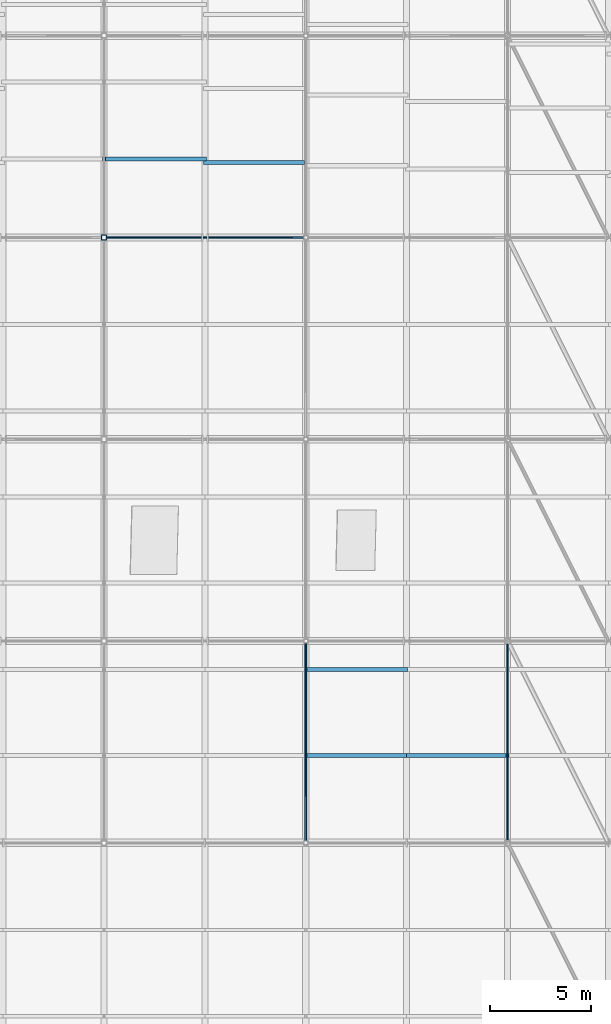
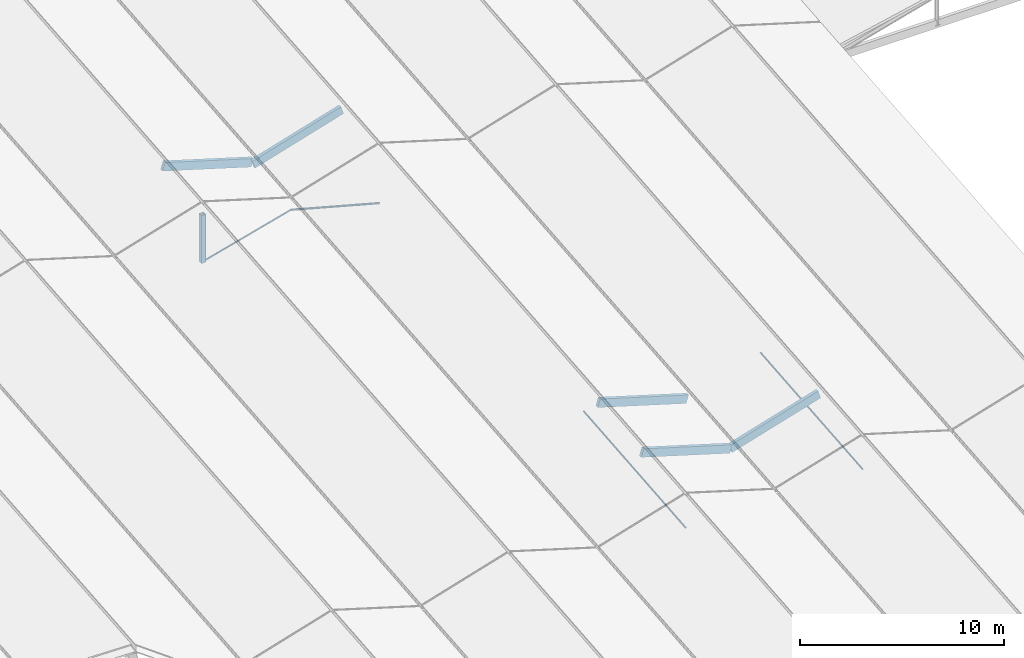
# One storey, part 33 of 90: 10 members.
"""IFC4 building model written with IfcOpenShell, lengths in metres."""

import ifcopenshell
import ifcopenshell.guid

model = None  # the IFC model being written
_history = None  # IfcOwnerHistory: only IFC2X3 demands one
_inside = {}  # id of a spatial element -> (the spatial element, [elements in it])
_under = {}  # id of a project, library or spatial element -> (it, [spatial elements below it])
_declared = {}  # id of a project -> (the project, [libraries it declares])
_typed = {}  # id of a type object -> (the type object, [elements of that type])
_made_of = {}  # id of a material, layer set ... -> (it, [elements and type objects made of it])


def new_model(schema):
    """Start an empty IFC model of exactly this schema.

    Asked for "IFC4X3", IfcOpenShell would pick the latest addendum, in which some entities
    have other attributes; the version numbers below select the first issue.
    IFC2X3 requires an IfcOwnerHistory on every rooted entity: one is made here for all.
    """
    global model, _history
    if schema == "IFC4X3":
        model = ifcopenshell.file(schema_version=(4, 3, 0, 0))
    else:
        model = ifcopenshell.file(schema=schema)
    _inside.clear()
    _under.clear()
    _declared.clear()
    _typed.clear()
    _made_of.clear()
    _history = None
    if model.schema == "IFC2X3":
        org = make("IfcOrganization", Name="unknown")
        user = make(
            "IfcPersonAndOrganization",
            ThePerson=make("IfcPerson", FamilyName="unknown"),
            TheOrganization=org,
        )
        app = make(
            "IfcApplication",
            ApplicationDeveloper=org,
            Version="unknown",
            ApplicationFullName="unknown",
            ApplicationIdentifier="unknown",
        )
        _history = make(
            "IfcOwnerHistory",
            OwningUser=user,
            OwningApplication=app,
            ChangeAction="ADDED",
            CreationDate=0,
        )
    return model


def make(cls, **values):
    """One entity of the class cls with the attributes given. An attribute that is None is left unset."""
    return model.create_entity(
        cls, **{name: value for name, value in values.items() if value is not None}
    )


def rooted(cls, **values):
    """An entity with a GlobalId (a new one), such as an element, a storey or a relation."""
    return make(cls, GlobalId=ifcopenshell.guid.new(), OwnerHistory=_history, **values)


def si_unit(unit_type, name, prefix=None):
    """IfcSIUnit, for example si_unit("LENGTHUNIT", "METRE", prefix="MILLI")."""
    return make("IfcSIUnit", UnitType=unit_type, Prefix=prefix, Name=name)


def assignment(units):
    """IfcUnitAssignment: the units of a project."""
    return None if units is None else make("IfcUnitAssignment", Units=units)


def point(xyz):
    """IfcCartesianPoint."""
    return None if xyz is None else make("IfcCartesianPoint", Coordinates=xyz)


def direction(xyz):
    """IfcDirection."""
    return None if xyz is None else make("IfcDirection", DirectionRatios=xyz)


def frame(location, z_axis=None, x_axis=None):
    """IfcAxis2Placement3D, a coordinate frame: its origin and axes. An axis left out is left unset."""
    return make(
        "IfcAxis2Placement3D",
        Location=point(location),
        Axis=direction(z_axis),
        RefDirection=direction(x_axis),
    )


def frame_2d(location, x_axis=None):
    """IfcAxis2Placement2D, a coordinate frame in the plane: its origin and x axis."""
    return make(
        "IfcAxis2Placement2D", Location=point(location), RefDirection=direction(x_axis)
    )


def origin():
    """The frame at (0, 0, 0) with its axes left unset."""
    return frame((0.0, 0.0, 0.0))


def origin_2d():
    """The frame at (0, 0) in the plane with its x axis left unset."""
    return frame_2d((0.0, 0.0))


def place(relative_to, where):
    """IfcLocalPlacement: puts the frame where relative to a parent placement (None: the world)."""
    return make(
        "IfcLocalPlacement", PlacementRelTo=relative_to, RelativePlacement=where
    )


def context(
    kind, dimensions, precision=None, world=None, true_north=None, identifier=None
):
    """IfcGeometricRepresentationContext, for example the 3D "Model" context."""
    return make(
        "IfcGeometricRepresentationContext",
        ContextIdentifier=identifier,
        ContextType=kind,
        CoordinateSpaceDimension=dimensions,
        Precision=precision,
        WorldCoordinateSystem=world,
        TrueNorth=true_north,
    )


def subcontext(parent, identifier, kind, view, scale=None):
    """IfcGeometricRepresentationSubContext, for example "Body" below "Model"."""
    return make(
        "IfcGeometricRepresentationSubContext",
        ContextIdentifier=identifier,
        ContextType=kind,
        ParentContext=parent,
        TargetScale=scale,
        TargetView=view,
    )


def project(units=None, contexts=None):
    """IfcProject with its units and contexts."""
    return rooted(
        "IfcProject",
        Name="project",
        RepresentationContexts=contexts,
        UnitsInContext=assignment(units),
    )


def spatial(cls, under=None, at=None, **own):
    """A site, building, storey or space (cls), placed at a placement, below another one or the project."""
    s = rooted(cls, ObjectPlacement=at, **own)
    if under is not None:
        _under.setdefault(under.id(), (under, []))[1].append(s)
    return s


def profile(cls, at=None, kind="AREA", **sizes):
    """A parametric profile (cls). Its sizes go by their IFC names, for example OverallWidth=200.0."""
    return make(cls, ProfileType=kind, Position=at, **sizes)


def rectangle(**sizes):
    """IfcRectangleProfileDef."""
    return profile("IfcRectangleProfileDef", **sizes)


def hollow_rectangle(**sizes):
    """IfcRectangleHollowProfileDef."""
    return profile("IfcRectangleHollowProfileDef", **sizes)


def circle(**sizes):
    """IfcCircleProfileDef."""
    return profile("IfcCircleProfileDef", **sizes)


def extrude(swept, where, along, depth):
    """IfcExtrudedAreaSolid: the profile swept, set in the frame where, extruded along a direction by depth."""
    return make(
        "IfcExtrudedAreaSolid",
        SweptArea=swept,
        Position=where,
        ExtrudedDirection=direction(along),
        Depth=depth,
    )


def shape(context_of_items, identifier, shape_type, items):
    """IfcShapeRepresentation: the items that make up one representation, for example the "Body"."""
    return make(
        "IfcShapeRepresentation",
        ContextOfItems=context_of_items,
        RepresentationIdentifier=identifier,
        RepresentationType=shape_type,
        Items=items,
    )


def material(Name=None, Category=None):
    """IfcMaterial."""
    return make("IfcMaterial", Name=Name, Category=Category)


def material_profile(
    of_material, cross_section, Name=None, Category=None, Priority=None
):
    """IfcMaterialProfile: a cross section and its material."""
    return make(
        "IfcMaterialProfile",
        Name=Name,
        Material=of_material,
        Profile=cross_section,
        Priority=Priority,
        Category=Category,
    )


def profile_set(profiles, Name=None, composite=None):
    """IfcMaterialProfileSet."""
    return make(
        "IfcMaterialProfileSet",
        Name=Name,
        MaterialProfiles=profiles,
        CompositeProfile=composite,
    )


def made_of(thing, what):
    """Note that an element or type object is made of a material, layer set ...; save() writes the relation."""
    if what is not None:
        _made_of.setdefault(what.id(), (what, []))[1].append(thing)
    return thing


def type_object(cls, material=None, **own):
    """A type object (cls), such as IfcWallType, which elements share."""
    return made_of(rooted(cls, **own), material)


def element(
    cls,
    number,
    at=None,
    inside=None,
    cuts=None,
    type_object=None,
    material=None,
    context=None,
    identifier="Body",
    shape_type=None,
    held_by="IfcProductDefinitionShape",
    body=None,
    shapes=None,
    **own,
):
    """One element of the class cls, such as IfcWall. Its Tag is "e" and its number.

    at: its placement. inside: the storey or other place that contains it. cuts: it is an
    opening in that element (IfcRelVoidsElement). A single representation is given by context,
    identifier, shape_type and body (its items); several are given by shapes. held_by: the class
    of the entity that holds the representations. save() writes the other relations.
    """
    e = rooted(cls, Tag="e%d" % number, ObjectPlacement=at, **own)
    if body is not None:
        shapes = [shape(context, identifier, shape_type, body)]
    if shapes is not None:
        e.Representation = make(held_by, Representations=shapes)
    if inside is not None:
        _inside.setdefault(inside.id(), (inside, []))[1].append(e)
    if cuts is not None:
        rooted(
            "IfcRelVoidsElement", RelatingBuildingElement=cuts, RelatedOpeningElement=e
        )
    if type_object is not None:
        _typed.setdefault(type_object.id(), (type_object, []))[1].append(e)
    return made_of(e, material)


def aggregate(whole, parts):
    """IfcRelAggregates: a whole, such as a stair, and the parts it consists of."""
    return rooted("IfcRelAggregates", RelatingObject=whole, RelatedObjects=parts)


def save(model, path):
    """Write the relations noted so far, then the file.

    IfcRelAggregates (storeys below a building ...), IfcRelContainedInSpatialStructure (elements
    in a storey), IfcRelDefinesByType, IfcRelAssociatesMaterial and IfcRelDeclares: one each for
    every whole, place, type object, material and project.
    """
    for whole, parts in _under.values():
        aggregate(whole, parts)
    for where, things in _inside.values():
        rooted(
            "IfcRelContainedInSpatialStructure",
            RelatedElements=things,
            RelatingStructure=where,
        )
    for kind, things in _typed.values():
        rooted("IfcRelDefinesByType", RelatedObjects=things, RelatingType=kind)
    for what, things in _made_of.values():
        rooted("IfcRelAssociatesMaterial", RelatedObjects=things, RelatingMaterial=what)
    for by, libraries in _declared.values():
        rooted("IfcRelDeclares", RelatingContext=by, RelatedDefinitions=libraries)
    model.write(path)


model = new_model("IFC4")

# Units and contexts
model_context = context("Model", 3, precision=1e-05, world=origin(), true_north=direction((0.0, 1.0)))
body_context = subcontext(model_context, "Body", "Model", "MODEL_VIEW")
ifc_project = project(units=[si_unit("LENGTHUNIT", "METRE"), si_unit("AREAUNIT", "SQUARE_METRE"), si_unit("VOLUMEUNIT", "CUBIC_METRE"), si_unit("PLANEANGLEUNIT", "RADIAN"), si_unit("MASSUNIT", "GRAM", prefix="KILO"), si_unit("THERMODYNAMICTEMPERATUREUNIT", "KELVIN"), si_unit("POWERUNIT", "WATT")], contexts=[model_context])

# Site, building, storey
site_placement = place(None, origin())
site = spatial("IfcSite", under=ifc_project, at=site_placement, CompositionType="ELEMENT")
building_placement = place(site_placement, origin())
building = spatial("IfcBuilding", under=site, at=building_placement, Name="Korenveer Ferry Terminal", CompositionType="ELEMENT")
storey_placement = place(building_placement, frame((0.0, 0.0, 22.199951171875)))
storey = spatial("IfcBuildingStorey", under=building, at=storey_placement, Name="RF", CompositionType="ELEMENT", Elevation=22.199951171875)

# Members
ifc_material_1 = material(Name="High-strength steel S460", Category="steel")
ifc_material_profile_1 = material_profile(ifc_material_1, circle(Radius=0.044921875, at=origin_2d()), Name="ROD D90")
ifc_profile_set_1 = profile_set([ifc_material_profile_1], Name="High-strength steel S460")
member_type_1 = type_object("IfcMemberType", Name="STR-CBL-D90", PredefinedType="USERDEFINED", material=ifc_profile_set_1)
for number, where, z_axis, x_axis, name in (
    (1, (93.0, 80.0, -5.95361328125), (-0.965424337217, 0.0, -0.260683426993), (0.0, -1.0, 0.0), "Roof tension tie cable 64"),
    (2, (93.0, 80.0, -5.95361328125), (0.965424337217, 0.0, -0.260683426993), (0.0, 1.0, 0.0), "Roof tension tie cable 65"),
):
    element("IfcMember", number, at=place(storey_placement, frame(where, z_axis=z_axis, x_axis=x_axis)), inside=storey, type_object=member_type_1, Name=name, ObjectType="CABLE", PredefinedType="USERDEFINED", context=body_context, shape_type="SweptSolid", body=[
        extrude(circle(Radius=0.044921875, at=origin_2d()), origin(), (0.0, 0.0, 1.0), 5.178955078125),
    ])
for number, where, z_axis, x_axis, name in (
    (3, (98.0, 50.0, -8.517822265625), (0.0, 0.995903364261, 0.090423940715), (-1.0, 0.0, 0.0), "Longitudinal jaw-stay cable 119"),
    (4, (108.0, 50.0, -8.517822265625), (0.0, 0.995903364261, 0.090423940715), (-1.0, 0.0, 0.0), "Longitudinal jaw-stay cable 124"),
):
    element("IfcMember", number, at=place(storey_placement, frame(where, z_axis=z_axis, x_axis=x_axis)), inside=storey, type_object=member_type_1, Name=name, ObjectType="CABLE", PredefinedType="USERDEFINED", context=body_context, shape_type="SweptSolid", body=[
        extrude(circle(Radius=0.044921875, at=origin_2d()), origin(), (0.0, 0.0, 1.0), 10.041015625),
    ])
ifc_material_2 = material(Name="Glulam GL28h", Category="wood")
ifc_material_profile_2 = material_profile(ifc_material_2, rectangle(XDim=0.199951171875, YDim=0.47998046875, at=origin_2d()), Name="GL 200x480")
ifc_profile_set_2 = profile_set([ifc_material_profile_2], Name="Glulam GL28h")
member_type_2 = type_object("IfcMemberType", Name="STR-PUR-GL200", PredefinedType="PURLIN", material=ifc_profile_set_2)
for number, where, z_axis, x_axis, name in (
    (5, (88.0, 83.88232421875, -3.93310546875), (0.957310140112, 0.0, -0.289062788401), (0.0, 1.0, 0.0), "Folded roof glulam purlin 139"),
    (6, (98.0, 54.321533203125, -6.6171875), (0.957310140112, 0.0, -0.289062788401), (0.0, 1.0, 0.0), "Folded roof glulam purlin 163"),
    (7, (98.0, 58.5927734375, -6.229248046875), (0.957310140112, 0.0, -0.289062788401), (0.0, 1.0, 0.0), "Folded roof glulam purlin 164"),
    (8, (93.0, 83.718994140625, -5.457763671875), (0.957310140112, 0.0, 0.289062788401), (0.0, 1.0, 0.0), "Folded roof glulam purlin 169"),
    (9, (103.0, 54.321533203125, -8.126953125), (0.957310140112, 0.0, 0.289062788401), (0.0, 1.0, 0.0), "Folded roof glulam purlin 193"),
):
    element("IfcMember", number, at=place(storey_placement, frame(where, z_axis=z_axis, x_axis=x_axis)), inside=storey, type_object=member_type_2, Name=name, PredefinedType="PURLIN", context=body_context, shape_type="SweptSolid", body=[
        extrude(rectangle(XDim=0.199951171875, YDim=0.47998046875, at=origin_2d()), origin(), (0.0, 0.0, 1.0), 5.222900390625),
    ])
ifc_material_3 = material(Name="Steel S355", Category="steel")
ifc_material_profile_3 = material_profile(ifc_material_3, hollow_rectangle(XDim=0.25, YDim=0.25, WallThickness=0.012451171875, InnerFilletRadius=0.012451171875, OuterFilletRadius=0.018798828125, at=origin_2d()), Name="SHS 250x250x12.5")
ifc_profile_set_3 = profile_set([ifc_material_profile_3], Name="Steel S355")
member_type_3 = type_object("IfcMemberType", Name="STR-STT-SHS250", PredefinedType="STRUT", material=ifc_profile_set_3)
member_placement = place(storey_placement, frame((88.0, 80.0, -7.3037109375), z_axis=(0.0, 0.0, 1.0), x_axis=(1.0, 0.0, 0.0)))
element("IfcMember", 10, at=member_placement, inside=storey, type_object=member_type_3, Name="Roof king-post strut STTKP-Y80-B3", PredefinedType="STRUT", context=body_context, shape_type="SweptSolid", body=[
    extrude(hollow_rectangle(XDim=0.25, YDim=0.25, WallThickness=0.012451171875, InnerFilletRadius=0.012451171875, OuterFilletRadius=0.018798828125, at=origin_2d()), origin(), (0.0, 0.0, 1.0), 2.85986328125),
])

save(model, "model.ifc")
